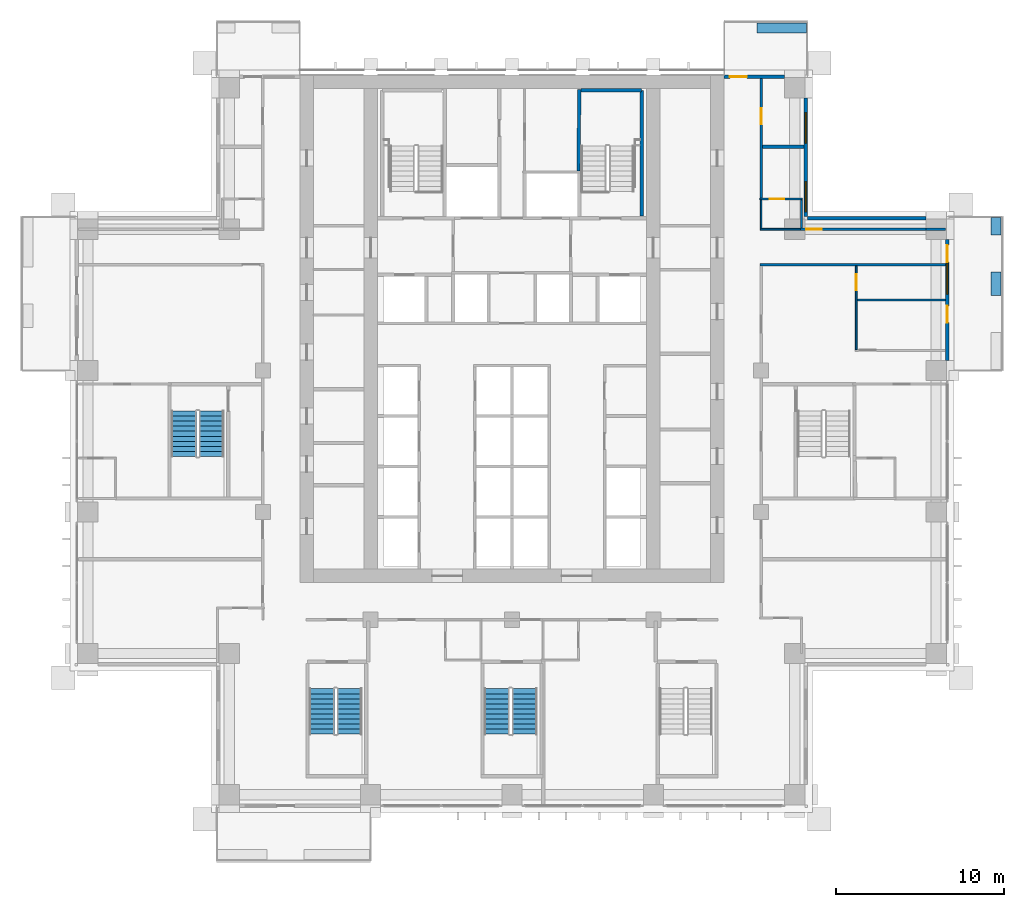
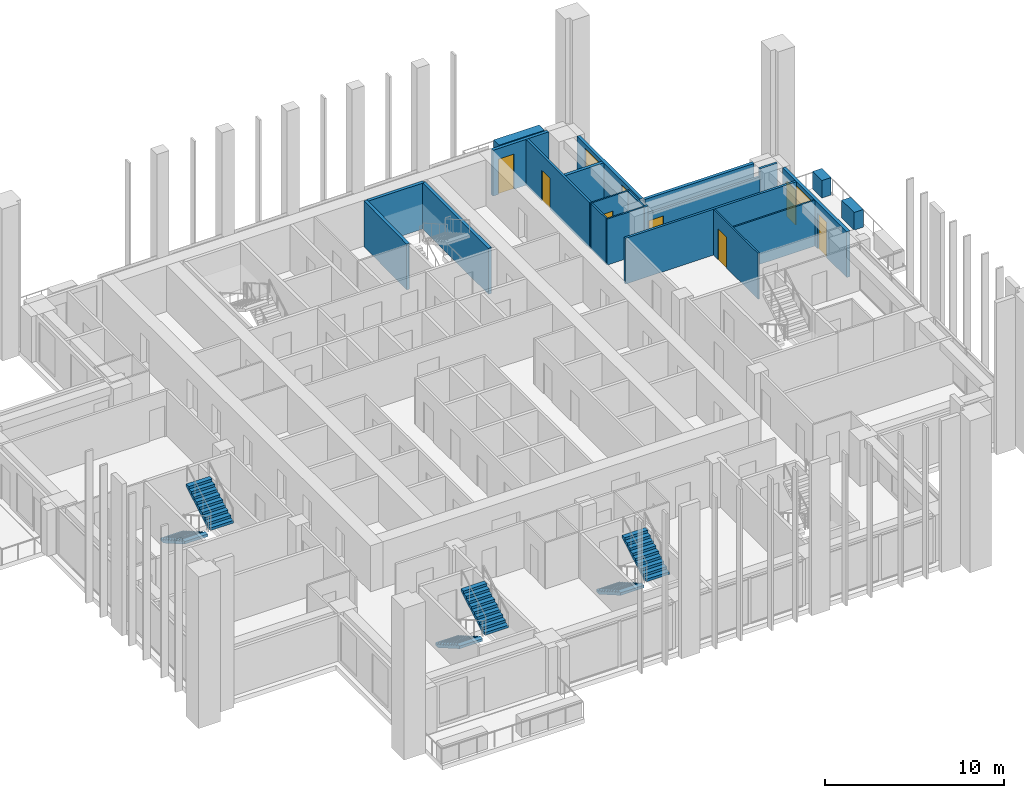
# One storey, part 12 of 18: 22 walls, 7 doors, 6 stair flights, 3 windows, 10 openings, 3 elements without a shape of their own.
"""IFC4 building model written with IfcOpenShell, lengths in metres."""

from ifc_helpers import new_model, si_unit, direction, frame, frame_2d, origin, place, context, subcontext, project, spatial, polyline, rectangle, outline, extrude, material, layer, layer_set, type_object, element, fill, aggregate, save


model = new_model("IFC4")

# Units and contexts
model_context = context("Model", 3, precision=1e-05, world=origin(), true_north=direction((0.0, 1.0)))
body_context = subcontext(model_context, "Body", "Model", "MODEL_VIEW")
ifc_project = project(units=[si_unit("LENGTHUNIT", "METRE"), si_unit("AREAUNIT", "SQUARE_METRE"), si_unit("VOLUMEUNIT", "CUBIC_METRE"), si_unit("PLANEANGLEUNIT", "RADIAN"), si_unit("MASSUNIT", "GRAM", prefix="KILO")], contexts=[model_context])

# Site, building, storey
site_placement = place(None, origin())
site = spatial("IfcSite", under=ifc_project, at=site_placement, CompositionType="ELEMENT")
building_placement = place(site_placement, origin())
building = spatial("IfcBuilding", under=site, at=building_placement, Name="Vermilion Ogive Tower", CompositionType="ELEMENT")
storey_placement = place(building_placement, frame((0.0, 0.0, 80.39990234375)))
storey = spatial("IfcBuildingStorey", under=building, at=storey_placement, Name="L19", CompositionType="ELEMENT", Elevation=80.39990234375)

# Wall
ifc_material_1 = material(Name="Gypsum board partition on steel studs", Category="steel")
ifc_layer_1 = layer(ifc_material_1, 0.10009765625)
ifc_layer_set_1 = layer_set([ifc_layer_1], Name="Partition 100 bath")
wall_type_1 = type_object("IfcWallType", Name="Partition 100 bath", PredefinedType="PARTITIONING", material=ifc_layer_set_1)
wall_1_placement = place(storey_placement, frame((14.75, 12.60009765625, 0.0), z_axis=(0.0, 0.0, 1.0), x_axis=(1.0, 0.0, 0.0)))
element("IfcWall", 1, at=wall_1_placement, inside=storey, type_object=wall_type_1, Name="L19-W-W033", PredefinedType="PARTITIONING", context=body_context, shape_type="SweptSolid", body=[
    extrude(rectangle(XDim=2.5, YDim=0.10009765625, at=frame_2d((1.25, 0.0))), origin(), (0.0, 0.0, 1.0), 3.130126953125),
])

# Wall, opening, door
wall_2_placement = place(storey_placement, frame((14.72509765625, 14.39990234375, 0.0), z_axis=(0.0, 0.0, 1.0), x_axis=(1.0, 0.0, 0.0)))
wall_2 = element("IfcWall", 2, at=wall_2_placement, inside=storey, type_object=wall_type_1, Name="L19-W-W036", PredefinedType="PARTITIONING", context=body_context, shape_type="SweptSolid", body=[
    extrude(rectangle(XDim=2.52490234375, YDim=0.10009765625, at=frame_2d((1.262451171875, 0.0))), origin(), (0.0, 0.0, 1.0), 3.130126953125),
])
opening_1_placement = place(wall_2_placement, frame((0.599853515625, 0.0, 0.0)))
opening_1 = element("IfcOpeningElement", 3, at=opening_1_placement, cuts=wall_2, Name="Opening D2G1021", PredefinedType="OPENING", context=body_context, shape_type="SweptSolid", body=[
    extrude(rectangle(XDim=0.85009765625, YDim=2.10009765625, at=frame_2d((0.425048828125, 1.050048828125))), frame((0.0, 0.06005859375, 0.0), z_axis=(0.0, -1.0, 0.0), x_axis=(1.0, 0.0, 0.0)), (0.0, 0.0, 1.0), 0.1201171875),
])
ifc_material_2 = material(Name="Timber door leaf", Category="wood")
door_type_1 = type_object("IfcDoorType", Name="Bath door 850 x 2100 FD30", OperationType="SINGLE_SWING_LEFT", PredefinedType="DOOR", material=ifc_material_2)
door_1_placement = place(opening_1_placement, origin())
door_1 = element("IfcDoor", 4, at=door_1_placement, inside=storey, type_object=door_type_1, Name="L19-D-D021", OperationType="SINGLE_SWING_RIGHT", OverallHeight=2.10009765625, OverallWidth=0.85009765625, PredefinedType="DOOR", context=body_context, shape_type="SweptSolid", body=[
    extrude(rectangle(XDim=0.85009765625, YDim=2.10009765625, at=frame_2d((0.425048828125, 1.050048828125))), frame((0.0, 0.02490234375, 0.0), z_axis=(0.0, -1.0, 0.0), x_axis=(1.0, 0.0, 0.0)), (0.0, 0.0, 1.0), 0.050048828125),
])
fill(opening_1, door_1)

# Walls
wall_3_placement = place(storey_placement, frame((14.800048828125, 12.64990234375, 0.0), z_axis=(0.0, 0.0, 1.0), x_axis=(0.0, 1.0, 0.0)))
element("IfcWall", 5, at=wall_3_placement, inside=storey, type_object=wall_type_1, Name="L19-W-W058", PredefinedType="PARTITIONING", context=body_context, shape_type="SweptSolid", body=[
    extrude(rectangle(XDim=1.7001953125, YDim=0.10009765625, at=frame_2d((0.85009765625, 0.0))), origin(), (0.0, 0.0, 1.0), 3.130126953125),
])
wall_4_placement = place(storey_placement, frame((17.199951171875, 12.675048828125, 0.0), z_axis=(0.0, 0.0, 1.0), x_axis=(0.0, 1.0, 0.0)))
element("IfcWall", 6, at=wall_4_placement, inside=storey, type_object=wall_type_1, Name="L19-W-W062", PredefinedType="PARTITIONING", context=body_context, shape_type="SweptSolid", body=[
    extrude(rectangle(XDim=1.675048828125, YDim=0.10009765625, at=frame_2d((0.83740234375, 0.0))), origin(), (0.0, 0.0, 1.0), 3.130126953125),
])
ifc_material_3 = material(Name="Gypsum board partition on steel studs", Category="steel")
ifc_layer_2 = layer(ifc_material_3, 0.10009765625)
ifc_layer_set_2 = layer_set([ifc_layer_2], Name="Partition 100 inner")
wall_type_2 = type_object("IfcWallType", Name="Partition 100 inner", PredefinedType="PARTITIONING", material=ifc_layer_set_2)
wall_5_placement = place(storey_placement, frame((20.5, 8.39990234375, 0.0), z_axis=(0.0, 0.0, 1.0), x_axis=(1.0, 0.0, 0.0)))
element("IfcWall", 7, at=wall_5_placement, inside=storey, type_object=wall_type_2, Name="L19-W-W028", PredefinedType="PARTITIONING", context=body_context, shape_type="SweptSolid", body=[
    extrude(rectangle(XDim=5.25, YDim=0.10009765625, at=frame_2d((2.625, 0.0))), origin(), (0.0, 0.0, 1.0), 3.130126953125),
])

# Wall, opening, door
wall_6_placement = place(storey_placement, frame((20.449951171875, 5.449951171875, 0.0), z_axis=(0.0, 0.0, 1.0), x_axis=(0.0, 1.0, 0.0)))
wall_6 = element("IfcWall", 8, at=wall_6_placement, inside=storey, type_object=wall_type_2, Name="L19-W-W065", PredefinedType="PARTITIONING", context=body_context, shape_type="SweptSolid", body=[
    extrude(rectangle(XDim=4.97509765625, YDim=0.10009765625, at=frame_2d((2.487548828125, 0.0))), origin(), (0.0, 0.0, 1.0), 3.130126953125),
])
opening_2_placement = place(wall_6_placement, frame((3.525146484375, 0.0, 0.0)))
opening_2 = element("IfcOpeningElement", 9, at=opening_2_placement, cuts=wall_6, Name="Opening D2G1016", PredefinedType="OPENING", context=body_context, shape_type="SweptSolid", body=[
    extrude(rectangle(XDim=0.949951171875, YDim=2.10009765625, at=frame_2d((0.47509765625, 1.050048828125))), frame((0.0, 0.06005859375, 0.0), z_axis=(0.0, -1.0, 0.0), x_axis=(1.0, 0.0, 0.0)), (0.0, 0.0, 1.0), 0.1201171875),
])
ifc_material_4 = material(Name="Timber door leaf", Category="wood")
door_type_2 = type_object("IfcDoorType", Name="Inner door 950 x 2100 FD30", OperationType="SINGLE_SWING_LEFT", PredefinedType="DOOR", material=ifc_material_4)
door_2_placement = place(opening_2_placement, origin())
door_2 = element("IfcDoor", 10, at=door_2_placement, inside=storey, type_object=door_type_2, Name="L19-D-D016", OperationType="SINGLE_SWING_RIGHT", OverallHeight=2.10009765625, OverallWidth=0.949951171875, PredefinedType="DOOR", context=body_context, shape_type="SweptSolid", body=[
    extrude(rectangle(XDim=0.949951171875, YDim=2.10009765625, at=frame_2d((0.47509765625, 1.050048828125))), frame((0.0, 0.02490234375, 0.0), z_axis=(0.0, -1.0, 0.0), x_axis=(1.0, 0.0, 0.0)), (0.0, 0.0, 1.0), 0.050048828125),
])
fill(opening_2, door_2)

# Walls
ifc_material_5 = material(Name="Gypsum board partition on steel studs", Category="steel")
ifc_layer_3 = layer(ifc_material_5, 0.14990234375)
ifc_layer_set_3 = layer_set([ifc_layer_3], Name="Partition 150 corridor")
wall_type_3 = type_object("IfcWallType", Name="Partition 150 corridor", PredefinedType="PARTITIONING", material=ifc_layer_set_3)
wall_7_placement = place(storey_placement, frame((14.72509765625, 10.5, 0.0), z_axis=(0.0, 0.0, 1.0), x_axis=(1.0, 0.0, 0.0)))
element("IfcWall", 11, at=wall_7_placement, inside=storey, type_object=wall_type_3, Name="L19-W-W030", PredefinedType="PARTITIONING", context=body_context, shape_type="SweptSolid", body=[
    extrude(rectangle(XDim=11.02490234375, YDim=0.14990234375, at=frame_2d((5.512451171875, 0.0))), origin(), (0.0, 0.0, 1.0), 3.130126953125),
])
wall_8_placement = place(storey_placement, frame((17.14990234375, 12.60009765625, 0.0), z_axis=(0.0, 0.0, 1.0), x_axis=(1.0, 0.0, 0.0)))
element("IfcWall", 12, at=wall_8_placement, inside=storey, type_object=wall_type_3, Name="L19-W-W034", PredefinedType="PARTITIONING", context=body_context, shape_type="SweptSolid", body=[
    extrude(rectangle(XDim=0.25, YDim=0.14990234375, at=frame_2d((0.125, 0.0))), origin(), (0.0, 0.0, 1.0), 3.130126953125),
])

# Wall, opening, door
wall_9_placement = place(storey_placement, frame((14.800048828125, 14.449951171875, 0.0), z_axis=(0.0, 0.0, 1.0), x_axis=(0.0, 1.0, 0.0)))
wall_9 = element("IfcWall", 13, at=wall_9_placement, inside=storey, type_object=wall_type_3, Name="L19-W-W059", PredefinedType="PARTITIONING", context=body_context, shape_type="SweptSolid", body=[
    extrude(rectangle(XDim=7.10009765625, YDim=0.14990234375, at=frame_2d((3.550048828125, 0.0))), origin(), (0.0, 0.0, 1.0), 3.130126953125),
])
opening_3_placement = place(wall_9_placement, frame((4.400146484375, 0.0, 0.0)))
opening_3 = element("IfcOpeningElement", 14, at=opening_3_placement, cuts=wall_9, Name="Opening D2G1022", PredefinedType="OPENING", context=body_context, shape_type="SweptSolid", body=[
    extrude(rectangle(XDim=0.949951171875, YDim=2.10009765625, at=frame_2d((0.47509765625, 1.050048828125))), frame((0.0, 0.0849609375, 0.0), z_axis=(0.0, -1.0, 0.0), x_axis=(1.0, 0.0, 0.0)), (0.0, 0.0, 1.0), 0.169921875),
])
ifc_material_6 = material(Name="Timber door leaf", Category="wood")
door_type_3 = type_object("IfcDoorType", Name="Unit door 950 x 2100 FD30S", OperationType="SINGLE_SWING_LEFT", PredefinedType="DOOR", material=ifc_material_6)
door_3_placement = place(opening_3_placement, origin())
door_3 = element("IfcDoor", 15, at=door_3_placement, inside=storey, type_object=door_type_3, Name="L19-D-D022", OperationType="SINGLE_SWING_RIGHT", OverallHeight=2.10009765625, OverallWidth=0.949951171875, PredefinedType="DOOR", context=body_context, shape_type="SweptSolid", body=[
    extrude(rectangle(XDim=0.949951171875, YDim=2.10009765625, at=frame_2d((0.47509765625, 1.050048828125))), frame((0.0, 0.02490234375, 0.0), z_axis=(0.0, -1.0, 0.0), x_axis=(1.0, 0.0, 0.0)), (0.0, 0.0, 1.0), 0.050048828125),
])
fill(opening_3, door_3)

wall_10_placement = place(storey_placement, frame((17.39990234375, 12.60009765625, 0.0), z_axis=(0.0, 0.0, 1.0), x_axis=(1.0, 0.0, 0.0)))
wall_10 = element("IfcWall", 16, at=wall_10_placement, inside=storey, type_object=wall_type_3, Name="L19-W-W034-h1", PredefinedType="PARTITIONING", context=body_context, shape_type="SweptSolid", body=[
    extrude(rectangle(XDim=7.2001953125, YDim=0.14990234375, at=frame_2d((3.60009765625, 0.0))), origin(), (0.0, 0.0, 1.0), 2.580078125),
])
opening_4_placement = place(wall_10_placement, frame((0.050048828125, 0.0, 0.0)))
opening_4 = element("IfcOpeningElement", 17, at=opening_4_placement, cuts=wall_10, Name="Opening D2G1020", PredefinedType="OPENING", context=body_context, shape_type="SweptSolid", body=[
    extrude(rectangle(XDim=0.949951171875, YDim=2.10009765625, at=frame_2d((0.47509765625, 1.050048828125))), frame((0.0, 0.0849609375, 0.0), z_axis=(0.0, -1.0, 0.0), x_axis=(1.0, 0.0, 0.0)), (0.0, 0.0, 1.0), 0.169921875),
])
door_4_placement = place(opening_4_placement, origin())
door_4 = element("IfcDoor", 18, at=door_4_placement, inside=storey, type_object=door_type_3, Name="L19-D-D020", OperationType="SINGLE_SWING_LEFT", OverallHeight=2.10009765625, OverallWidth=0.949951171875, PredefinedType="DOOR", context=body_context, shape_type="SweptSolid", body=[
    extrude(rectangle(XDim=0.949951171875, YDim=2.10009765625, at=frame_2d((0.47509765625, 1.050048828125))), frame((0.0, 0.02490234375, 0.0), z_axis=(0.0, -1.0, 0.0), x_axis=(1.0, 0.0, 0.0)), (0.0, 0.0, 1.0), 0.050048828125),
])
fill(opening_4, door_4)

# Walls
wall_11_placement = place(storey_placement, frame((24.60009765625, 12.60009765625, 0.0), z_axis=(0.0, 0.0, 1.0), x_axis=(1.0, 0.0, 0.0)))
element("IfcWall", 19, at=wall_11_placement, inside=storey, type_object=wall_type_3, Name="L19-W-W034-h2", PredefinedType="PARTITIONING", context=body_context, shape_type="SweptSolid", body=[
    extrude(rectangle(XDim=1.14990234375, YDim=0.14990234375, at=frame_2d((0.574951171875, 0.0))), origin(), (0.0, 0.0, 1.0), 3.130126953125),
])
ifc_material_7 = material(Name="Gypsum board partition on steel studs", Category="steel")
ifc_layer_4 = layer(ifc_material_7, 0.199951171875)
ifc_layer_set_4 = layer_set([ifc_layer_4], Name="Partition 200 party")
wall_type_4 = type_object("IfcWallType", Name="Partition 200 party", PredefinedType="PARTITIONING", material=ifc_layer_set_4)
wall_12_placement = place(storey_placement, frame((14.875, 17.5, 0.0), z_axis=(0.0, 0.0, 1.0), x_axis=(1.0, 0.0, 0.0)))
element("IfcWall", 20, at=wall_12_placement, inside=storey, type_object=wall_type_4, Name="L19-W-W038", PredefinedType="PARTITIONING", context=body_context, shape_type="SweptSolid", body=[
    extrude(rectangle(XDim=2.47509765625, YDim=0.199951171875, at=frame_2d((1.237548828125, 0.0))), origin(), (0.0, 0.0, 1.0), 3.130126953125),
])
ifc_material_8 = material(Name="Concrete B60", Category="concrete")
ifc_layer_5 = layer(ifc_material_8, 0.199951171875)
ifc_layer_set_5 = layer_set([ifc_layer_5], Name="Stair shaft wall 200 Concrete B60")
wall_type_5 = type_object("IfcWallType", Name="Stair shaft wall 200 Concrete B60", PredefinedType="SOLIDWALL", material=ifc_layer_set_5)
wall_13_placement = place(storey_placement, frame((3.949951171875, 16.050048828125, 0.0), z_axis=(0.0, 0.0, 1.0), x_axis=(0.01032118628, 0.999946735138, 0.0)))
element("IfcWall", 21, at=wall_13_placement, inside=storey, type_object=wall_type_5, Name="L19-CK-W-W038", PredefinedType="SOLIDWALL", context=body_context, shape_type="SweptSolid", body=[
    extrude(rectangle(XDim=4.84912109375, YDim=0.199951171875, at=frame_2d((2.424560546875, 0.0))), origin(), (0.0, 0.0, 1.0), 3.130126953125),
])
wall_14_placement = place(storey_placement, frame((7.699951171875, 13.39990234375, 0.0), z_axis=(0.0, 0.0, 1.0), x_axis=(0.0, 1.0, 0.0)))
element("IfcWall", 22, at=wall_14_placement, inside=storey, type_object=wall_type_5, Name="L19-SW-R026-E1", PredefinedType="SOLIDWALL", context=body_context, shape_type="SweptSolid", body=[
    extrude(rectangle(XDim=7.4501953125, YDim=0.199951171875, at=frame_2d((3.72509765625, 0.0))), origin(), (0.0, 0.0, 1.0), 3.130126953125),
])
wall_15_placement = place(storey_placement, frame((4.10009765625, 20.85009765625, 0.0), z_axis=(0.0, 0.0, 1.0), x_axis=(1.0, 0.0, 0.0)))
element("IfcWall", 23, at=wall_15_placement, inside=storey, type_object=wall_type_5, Name="L19-SW-R026-N1", PredefinedType="SOLIDWALL", context=body_context, shape_type="SweptSolid", body=[
    extrude(rectangle(XDim=3.599853515625, YDim=0.199951171875, at=frame_2d((1.7998046875, 0.0))), origin(), (0.0, 0.0, 1.0), 3.130126953125),
])
ifc_material_9 = material(Name="Concrete B40", Category="concrete")
ifc_layer_6 = layer(ifc_material_9, 0.60009765625)
ifc_layer_set_6 = layer_set([ifc_layer_6], Name="Structural planter")
wall_type_6 = type_object("IfcWallType", Name="Structural planter", PredefinedType="USERDEFINED", material=ifc_layer_set_6)
wall_16_placement = place(storey_placement, frame((28.75, 8.64990234375, -0.039794921875), z_axis=(0.0, 0.0, 1.0), x_axis=(0.0, 1.0, 0.0)))
element("IfcWall", 24, at=wall_16_placement, inside=storey, type_object=wall_type_6, Name="Planter E03A2", ObjectType="PLANTER", PredefinedType="USERDEFINED", context=body_context, shape_type="SweptSolid", body=[
    extrude(rectangle(XDim=1.400146484375, YDim=0.60009765625, at=frame_2d((0.7001953125, 0.0))), origin(), (0.0, 0.0, 1.0), 1.199951171875),
])
wall_17_placement = place(storey_placement, frame((28.75, 12.25, -0.039794921875), z_axis=(0.0, 0.0, 1.0), x_axis=(0.0, 1.0, 0.0)))
element("IfcWall", 25, at=wall_17_placement, inside=storey, type_object=wall_type_6, Name="Planter E03A3", ObjectType="PLANTER", PredefinedType="USERDEFINED", context=body_context, shape_type="SweptSolid", body=[
    extrude(rectangle(XDim=1.0400390625, YDim=0.60009765625, at=frame_2d((0.52001953125, 0.0))), origin(), (0.0, 0.0, 1.0), 1.199951171875),
])
wall_18_placement = place(storey_placement, frame((17.489990234375, 24.550048828125, -0.039794921875), z_axis=(0.0, 0.0, 1.0), x_axis=(-1.0, 0.0, 0.0)))
element("IfcWall", 26, at=wall_18_placement, inside=storey, type_object=wall_type_6, Name="Planter N101A1", ObjectType="PLANTER", PredefinedType="USERDEFINED", context=body_context, shape_type="SweptSolid", body=[
    extrude(rectangle(XDim=2.93994140625, YDim=0.60009765625, at=frame_2d((1.469970703125, 0.0))), origin(), (0.0, 0.0, 1.0), 1.199951171875),
])

# Wall, openings, doors, window
ifc_material_10 = material(Name="Aluminium window wall framing", Category="aluminium")
ifc_layer_7 = layer(ifc_material_10, 0.199951171875)
ifc_layer_set_7 = layer_set([ifc_layer_7], Name="Window wall")
wall_type_7 = type_object("IfcWallType", Name="Window wall", PredefinedType="STANDARD", material=ifc_layer_set_7)
wall_19_placement = place(storey_placement, frame((25.85009765625, 4.800048828125, 0.0), z_axis=(0.0, 0.0, 1.0), x_axis=(0.0, 1.0, 0.0)))
wall_19 = element("IfcWall", 27, at=wall_19_placement, inside=storey, type_object=wall_type_7, Name="Window wall E3", PredefinedType="STANDARD", context=body_context, shape_type="SweptSolid", body=[
    extrude(rectangle(XDim=7.199951171875, YDim=0.199951171875, at=frame_2d((3.60009765625, 0.0))), origin(), (0.0, 0.0, 1.0), 3.130126953125),
])
opening_5_placement = place(wall_19_placement, frame((2.25, 0.0, 0.0)))
opening_5 = element("IfcOpeningElement", 28, at=opening_5_placement, cuts=wall_19, Name="Opening D1-E01", PredefinedType="OPENING", context=body_context, shape_type="SweptSolid", body=[
    extrude(rectangle(XDim=1.0, YDim=2.39990234375, at=frame_2d((0.5, 1.199951171875))), frame((0.0, 0.10986328125, 0.0), z_axis=(0.0, -1.0, 0.0), x_axis=(1.0, 0.0, 0.0)), (0.0, 0.0, 1.0), 0.219970703125),
])
opening_6_placement = place(wall_19_placement, frame((3.949951171875, 0.0, 0.199951171875)))
opening_6 = element("IfcOpeningElement", 29, at=opening_6_placement, cuts=wall_19, Name="Opening W1-E02", PredefinedType="OPENING", context=body_context, shape_type="SweptSolid", body=[
    extrude(rectangle(XDim=1.800048828125, YDim=2.64990234375, at=frame_2d((0.89990234375, 1.324951171875))), frame((0.0, 0.10986328125, 0.0), z_axis=(0.0, -1.0, 0.0), x_axis=(1.0, 0.0, 0.0)), (0.0, 0.0, 1.0), 0.219970703125),
])
opening_7_placement = place(wall_19_placement, frame((5.85009765625, 0.0, 0.0)))
opening_7 = element("IfcOpeningElement", 30, at=opening_7_placement, cuts=wall_19, Name="Opening D1-E02", PredefinedType="OPENING", context=body_context, shape_type="SweptSolid", body=[
    extrude(rectangle(XDim=1.0, YDim=2.39990234375, at=frame_2d((0.5, 1.199951171875))), frame((0.0, 0.10986328125, 0.0), z_axis=(0.0, -1.0, 0.0), x_axis=(1.0, 0.0, 0.0)), (0.0, 0.0, 1.0), 0.219970703125),
])
ifc_material_11 = material(Name="Aluminium framed glazed door", Category="aluminium")
door_type_4 = type_object("IfcDoorType", Name="Balcony door D1", OperationType="SINGLE_SWING_LEFT", PredefinedType="DOOR", material=ifc_material_11)
door_5_placement = place(opening_5_placement, origin())
door_5 = element("IfcDoor", 31, at=door_5_placement, inside=storey, type_object=door_type_4, Name="Balcony door E01", OperationType="SINGLE_SWING_LEFT", OverallHeight=2.39990234375, OverallWidth=1.0, PredefinedType="DOOR", context=body_context, shape_type="SweptSolid", body=[
    extrude(rectangle(XDim=1.0, YDim=2.39990234375, at=frame_2d((0.5, 1.199951171875))), frame((0.0, 0.02490234375, 0.0), z_axis=(0.0, -1.0, 0.0), x_axis=(1.0, 0.0, 0.0)), (0.0, 0.0, 1.0), 0.050048828125),
])
fill(opening_5, door_5)
door_6_placement = place(opening_7_placement, origin())
door_6 = element("IfcDoor", 32, at=door_6_placement, inside=storey, type_object=door_type_4, Name="Balcony door E02", OperationType="SINGLE_SWING_LEFT", OverallHeight=2.39990234375, OverallWidth=1.0, PredefinedType="DOOR", context=body_context, shape_type="SweptSolid", body=[
    extrude(rectangle(XDim=1.0, YDim=2.39990234375, at=frame_2d((0.5, 1.199951171875))), frame((0.0, 0.02490234375, 0.0), z_axis=(0.0, -1.0, 0.0), x_axis=(1.0, 0.0, 0.0)), (0.0, 0.0, 1.0), 0.050048828125),
])
fill(opening_7, door_6)
ifc_material_12 = material(Name="Aluminium framed double glazing", Category="aluminium")
window_type = type_object("IfcWindowType", Name="Guest window W1", PartitioningType="SINGLE_PANEL", PredefinedType="WINDOW", material=ifc_material_12)
window_1_placement = place(opening_6_placement, origin())
window_1 = element("IfcWindow", 33, at=window_1_placement, inside=storey, type_object=window_type, Name="Window E02", OverallHeight=2.64990234375, OverallWidth=1.800048828125, PartitioningType="SINGLE_PANEL", PredefinedType="WINDOW", context=body_context, shape_type="SweptSolid", body=[
    extrude(rectangle(XDim=1.800048828125, YDim=2.64990234375, at=frame_2d((0.89990234375, 1.324951171875))), frame((0.0, 0.030029296875, 0.0), z_axis=(0.0, -1.0, 0.0), x_axis=(1.0, 0.0, 0.0)), (0.0, 0.0, 1.0), 0.06005859375),
])
fill(opening_6, window_1)

# Wall
wall_20_placement = place(storey_placement, frame((24.60009765625, 13.25, 0.0), z_axis=(0.0, 0.0, 1.0), x_axis=(-1.0, 0.0, 0.0)))
element("IfcWall", 34, at=wall_20_placement, inside=storey, type_object=wall_type_7, Name="Window wall X31", PredefinedType="STANDARD", context=body_context, shape_type="SweptSolid", body=[
    extrude(rectangle(XDim=7.050048828125, YDim=0.199951171875, at=frame_2d((3.52490234375, 0.0))), origin(), (0.0, 0.0, 1.0), 3.130126953125),
])

# Wall, openings, windows
wall_21_placement = place(storey_placement, frame((17.449951171875, 13.35009765625, 0.0), z_axis=(0.0, 0.0, 1.0), x_axis=(0.0, 1.0, 0.0)))
wall_21 = element("IfcWall", 35, at=wall_21_placement, inside=storey, type_object=wall_type_7, Name="Window wall X41", PredefinedType="STANDARD", context=body_context, shape_type="SweptSolid", body=[
    extrude(rectangle(XDim=7.0498046875, YDim=0.199951171875, at=frame_2d((3.52490234375, 0.0))), origin(), (0.0, 0.0, 1.0), 3.130126953125),
])
opening_8_placement = place(wall_21_placement, frame((0.27490234375, 0.0, 0.199951171875)))
opening_8 = element("IfcOpeningElement", 36, at=opening_8_placement, cuts=wall_21, Name="Opening W1-X403", PredefinedType="OPENING", context=body_context, shape_type="SweptSolid", body=[
    extrude(rectangle(XDim=1.800048828125, YDim=2.64990234375, at=frame_2d((0.89990234375, 1.324951171875))), frame((0.0, 0.10986328125, 0.0), z_axis=(0.0, -1.0, 0.0), x_axis=(1.0, 0.0, 0.0)), (0.0, 0.0, 1.0), 0.219970703125),
])
opening_9_placement = place(wall_21_placement, frame((4.3701171875, 0.0, 0.199951171875)))
opening_9 = element("IfcOpeningElement", 37, at=opening_9_placement, cuts=wall_21, Name="Opening W1-X404", PredefinedType="OPENING", context=body_context, shape_type="SweptSolid", body=[
    extrude(rectangle(XDim=1.800048828125, YDim=2.64990234375, at=frame_2d((0.89990234375, 1.324951171875))), frame((0.0, 0.10986328125, 0.0), z_axis=(0.0, -1.0, 0.0), x_axis=(1.0, 0.0, 0.0)), (0.0, 0.0, 1.0), 0.219970703125),
])
window_2_placement = place(opening_8_placement, origin())
window_2 = element("IfcWindow", 38, at=window_2_placement, inside=storey, type_object=window_type, Name="Window X403", OverallHeight=2.64990234375, OverallWidth=1.800048828125, PartitioningType="SINGLE_PANEL", PredefinedType="WINDOW", context=body_context, shape_type="SweptSolid", body=[
    extrude(rectangle(XDim=1.800048828125, YDim=2.64990234375, at=frame_2d((0.89990234375, 1.324951171875))), frame((0.0, 0.030029296875, 0.0), z_axis=(0.0, -1.0, 0.0), x_axis=(1.0, 0.0, 0.0)), (0.0, 0.0, 1.0), 0.06005859375),
])
fill(opening_8, window_2)
window_3_placement = place(opening_9_placement, origin())
window_3 = element("IfcWindow", 39, at=window_3_placement, inside=storey, type_object=window_type, Name="Window X404", OverallHeight=2.64990234375, OverallWidth=1.800048828125, PartitioningType="SINGLE_PANEL", PredefinedType="WINDOW", context=body_context, shape_type="SweptSolid", body=[
    extrude(rectangle(XDim=1.800048828125, YDim=2.64990234375, at=frame_2d((0.89990234375, 1.324951171875))), frame((0.0, 0.030029296875, 0.0), z_axis=(0.0, -1.0, 0.0), x_axis=(1.0, 0.0, 0.0)), (0.0, 0.0, 1.0), 0.06005859375),
])
fill(opening_9, window_3)

# Wall, opening, door
wall_22_placement = place(storey_placement, frame((16.199951171875, 21.64990234375, 0.0), z_axis=(0.0, 0.0, 1.0), x_axis=(-1.0, 0.0, 0.0)))
wall_22 = element("IfcWall", 40, at=wall_22_placement, inside=storey, type_object=wall_type_7, Name="Window wall N11", PredefinedType="STANDARD", context=body_context, shape_type="SweptSolid", body=[
    extrude(rectangle(XDim=3.599853515625, YDim=0.199951171875, at=frame_2d((1.7998046875, 0.0))), origin(), (0.0, 0.0, 1.0), 3.130126953125),
])
opening_10_placement = place(wall_22_placement, frame((2.25, 0.0, 0.0)))
opening_10 = element("IfcOpeningElement", 41, at=opening_10_placement, cuts=wall_22, Name="Opening D1-N103", PredefinedType="OPENING", context=body_context, shape_type="SweptSolid", body=[
    extrude(rectangle(XDim=1.0, YDim=2.39990234375, at=frame_2d((0.5, 1.199951171875))), frame((0.0, 0.10986328125, 0.0), z_axis=(0.0, -1.0, 0.0), x_axis=(1.0, 0.0, 0.0)), (0.0, 0.0, 1.0), 0.219970703125),
])
door_7_placement = place(opening_10_placement, origin())
door_7 = element("IfcDoor", 42, at=door_7_placement, inside=storey, type_object=door_type_4, Name="Balcony door N103", OperationType="SINGLE_SWING_LEFT", OverallHeight=2.39990234375, OverallWidth=1.0, PredefinedType="DOOR", context=body_context, shape_type="SweptSolid", body=[
    extrude(rectangle(XDim=1.0, YDim=2.39990234375, at=frame_2d((0.5, 1.199951171875))), frame((0.0, 0.02490234375, 0.0), z_axis=(0.0, -1.0, 0.0), x_axis=(1.0, 0.0, 0.0)), (0.0, 0.0, 1.0), 0.050048828125),
])
fill(opening_10, door_7)

# Stair, stair flights
ifc_material_13 = material(Name="Concrete B40", Category="concrete")
stair_type = type_object("IfcStairType", Name="Exit stair 1500", PredefinedType="HALF_TURN_STAIR", material=ifc_material_13)
stair_1_placement = place(storey_placement, origin())
stair_1 = element("IfcStair", 43, at=stair_1_placement, inside=storey, type_object=stair_type, Name="L19 Exit Stair ST3", PredefinedType="HALF_TURN_STAIR")
ifc_material_14 = material(Name="Concrete B40", Category="concrete")
stair_flight_type = type_object("IfcStairFlightType", Name="Stair flight 1500", PredefinedType="STRAIGHT", material=ifc_material_14)
stair_flight_1_placement = place(storey_placement, frame((-11.300048828125, -14.699951171875, 0.0), z_axis=(0.0, 0.0, 1.0), x_axis=(0.0, -1.0, 0.0)))
stair_flight_1 = element("IfcStairFlight", 44, at=stair_flight_1_placement, type_object=stair_flight_type, Name="ST3 flight 1", NumberOfRisers=10, NumberOfTreads=9, PredefinedType="STRAIGHT", RiserHeight=0.1725, TreadLength=0.3, context=body_context, shape_type="SweptSolid", body=[
    extrude(outline(polyline([(0.0, 0.0), (0.0, 0.172607421875), (0.300048828125, 0.172607421875), (0.300048828125, 0.344970703125), (0.60009765625, 0.344970703125), (0.60009765625, 0.517578125), (0.89990234375, 0.517578125), (0.89990234375, 0.68994140625), (1.199951171875, 0.68994140625), (1.199951171875, 0.862548828125), (1.5, 0.862548828125), (1.5, 1.034912109375), (1.800048828125, 1.034912109375), (1.800048828125, 1.20751953125), (2.10009765625, 1.20751953125), (2.10009765625, 1.3798828125), (2.39990234375, 1.3798828125), (2.39990234375, 1.552490234375), (2.699951171875, 1.552490234375), (2.699951171875, 1.72509765625), (2.699951171875, 1.379638671875), (0.30078125, 0.0), (0.0, 0.0)])), frame((0.0, 0.75, 0.0), z_axis=(0.0, -1.0, 0.0), x_axis=(1.0, 0.0, 0.0)), (0.0, 0.0, 1.0), 1.5),
])
stair_flight_2_placement = place(storey_placement, frame((-9.64990234375, -17.39990234375, 1.72509765625), z_axis=(0.0, 0.0, 1.0), x_axis=(0.0, 1.0, 0.0)))
stair_flight_2 = element("IfcStairFlight", 45, at=stair_flight_2_placement, type_object=stair_flight_type, Name="ST3 flight 2", NumberOfRisers=10, NumberOfTreads=9, PredefinedType="STRAIGHT", RiserHeight=0.1725, TreadLength=0.3, context=body_context, shape_type="SweptSolid", body=[
    extrude(outline(polyline([(0.0, 0.0), (0.0, 0.172607421875), (0.300048828125, 0.172607421875), (0.300048828125, 0.344970703125), (0.60009765625, 0.344970703125), (0.60009765625, 0.517578125), (0.89990234375, 0.517578125), (0.89990234375, 0.68994140625), (1.199951171875, 0.68994140625), (1.199951171875, 0.862548828125), (1.5, 0.862548828125), (1.5, 1.034912109375), (1.800048828125, 1.034912109375), (1.800048828125, 1.20751953125), (2.10009765625, 1.20751953125), (2.10009765625, 1.3798828125), (2.39990234375, 1.3798828125), (2.39990234375, 1.552490234375), (2.699951171875, 1.552490234375), (2.699951171875, 1.72509765625), (2.699951171875, 1.379638671875), (0.30078125, 0.0), (0.0, 0.0)])), frame((0.0, 0.75, 0.0), z_axis=(0.0, -1.0, 0.0), x_axis=(1.0, 0.0, 0.0)), (0.0, 0.0, 1.0), 1.5),
])
aggregate(stair_1, [stair_flight_1, stair_flight_2])

stair_2_placement = place(storey_placement, origin())
stair_2 = element("IfcStair", 46, at=stair_2_placement, inside=storey, type_object=stair_type, Name="L19 Exit Stair ST4", PredefinedType="HALF_TURN_STAIR")
stair_flight_3_placement = place(storey_placement, frame((-0.89990234375, -14.699951171875, 0.0), z_axis=(0.0, 0.0, 1.0), x_axis=(0.0, -1.0, 0.0)))
stair_flight_3 = element("IfcStairFlight", 47, at=stair_flight_3_placement, type_object=stair_flight_type, Name="ST4 flight 1", NumberOfRisers=10, NumberOfTreads=9, PredefinedType="STRAIGHT", RiserHeight=0.1725, TreadLength=0.3, context=body_context, shape_type="SweptSolid", body=[
    extrude(outline(polyline([(0.0, 0.0), (0.0, 0.172607421875), (0.300048828125, 0.172607421875), (0.300048828125, 0.344970703125), (0.60009765625, 0.344970703125), (0.60009765625, 0.517578125), (0.89990234375, 0.517578125), (0.89990234375, 0.68994140625), (1.199951171875, 0.68994140625), (1.199951171875, 0.862548828125), (1.5, 0.862548828125), (1.5, 1.034912109375), (1.800048828125, 1.034912109375), (1.800048828125, 1.20751953125), (2.10009765625, 1.20751953125), (2.10009765625, 1.3798828125), (2.39990234375, 1.3798828125), (2.39990234375, 1.552490234375), (2.699951171875, 1.552490234375), (2.699951171875, 1.72509765625), (2.699951171875, 1.379638671875), (0.30078125, 0.0), (0.0, 0.0)])), frame((0.0, 0.75, 0.0), z_axis=(0.0, -1.0, 0.0), x_axis=(1.0, 0.0, 0.0)), (0.0, 0.0, 1.0), 1.5),
])
stair_flight_4_placement = place(storey_placement, frame((0.75, -17.39990234375, 1.72509765625), z_axis=(0.0, 0.0, 1.0), x_axis=(0.0, 1.0, 0.0)))
stair_flight_4 = element("IfcStairFlight", 48, at=stair_flight_4_placement, type_object=stair_flight_type, Name="ST4 flight 2", NumberOfRisers=10, NumberOfTreads=9, PredefinedType="STRAIGHT", RiserHeight=0.1725, TreadLength=0.3, context=body_context, shape_type="SweptSolid", body=[
    extrude(outline(polyline([(0.0, 0.0), (0.0, 0.172607421875), (0.300048828125, 0.172607421875), (0.300048828125, 0.344970703125), (0.60009765625, 0.344970703125), (0.60009765625, 0.517578125), (0.89990234375, 0.517578125), (0.89990234375, 0.68994140625), (1.199951171875, 0.68994140625), (1.199951171875, 0.862548828125), (1.5, 0.862548828125), (1.5, 1.034912109375), (1.800048828125, 1.034912109375), (1.800048828125, 1.20751953125), (2.10009765625, 1.20751953125), (2.10009765625, 1.3798828125), (2.39990234375, 1.3798828125), (2.39990234375, 1.552490234375), (2.699951171875, 1.552490234375), (2.699951171875, 1.72509765625), (2.699951171875, 1.379638671875), (0.30078125, 0.0), (0.0, 0.0)])), frame((0.0, 0.75, 0.0), z_axis=(0.0, -1.0, 0.0), x_axis=(1.0, 0.0, 0.0)), (0.0, 0.0, 1.0), 1.5),
])
aggregate(stair_2, [stair_flight_3, stair_flight_4])

stair_3_placement = place(storey_placement, origin())
stair_3 = element("IfcStair", 49, at=stair_3_placement, inside=storey, type_object=stair_type, Name="L19 Exit Stair ST9", PredefinedType="HALF_TURN_STAIR")
stair_flight_5_placement = place(storey_placement, frame((-19.5, 1.800048828125, 0.0), z_axis=(0.0, 0.0, 1.0), x_axis=(0.0, -1.0, 0.0)))
stair_flight_5 = element("IfcStairFlight", 50, at=stair_flight_5_placement, type_object=stair_flight_type, Name="ST9 flight 1", NumberOfRisers=10, NumberOfTreads=9, PredefinedType="STRAIGHT", RiserHeight=0.1725, TreadLength=0.3, context=body_context, shape_type="SweptSolid", body=[
    extrude(outline(polyline([(0.0, 0.0), (0.0, 0.172607421875), (0.300048828125, 0.172607421875), (0.300048828125, 0.344970703125), (0.60009765625, 0.344970703125), (0.60009765625, 0.517578125), (0.89990234375, 0.517578125), (0.89990234375, 0.68994140625), (1.199951171875, 0.68994140625), (1.199951171875, 0.862548828125), (1.5, 0.862548828125), (1.5, 1.034912109375), (1.800048828125, 1.034912109375), (1.800048828125, 1.20751953125), (2.10009765625, 1.20751953125), (2.10009765625, 1.3798828125), (2.39990234375, 1.3798828125), (2.39990234375, 1.552490234375), (2.699951171875, 1.552490234375), (2.699951171875, 1.72509765625), (2.699951171875, 1.379638671875), (0.30078125, 0.0), (0.0, 0.0)])), frame((0.0, 0.75, 0.0), z_axis=(0.0, -1.0, 0.0), x_axis=(1.0, 0.0, 0.0)), (0.0, 0.0, 1.0), 1.5),
])
stair_flight_6_placement = place(storey_placement, frame((-17.85009765625, -0.89990234375, 1.72509765625), z_axis=(0.0, 0.0, 1.0), x_axis=(0.0, 1.0, 0.0)))
stair_flight_6 = element("IfcStairFlight", 51, at=stair_flight_6_placement, type_object=stair_flight_type, Name="ST9 flight 2", NumberOfRisers=10, NumberOfTreads=9, PredefinedType="STRAIGHT", RiserHeight=0.1725, TreadLength=0.3, context=body_context, shape_type="SweptSolid", body=[
    extrude(outline(polyline([(0.0, 0.0), (0.0, 0.172607421875), (0.300048828125, 0.172607421875), (0.300048828125, 0.344970703125), (0.60009765625, 0.344970703125), (0.60009765625, 0.517578125), (0.89990234375, 0.517578125), (0.89990234375, 0.68994140625), (1.199951171875, 0.68994140625), (1.199951171875, 0.862548828125), (1.5, 0.862548828125), (1.5, 1.034912109375), (1.800048828125, 1.034912109375), (1.800048828125, 1.20751953125), (2.10009765625, 1.20751953125), (2.10009765625, 1.3798828125), (2.39990234375, 1.3798828125), (2.39990234375, 1.552490234375), (2.699951171875, 1.552490234375), (2.699951171875, 1.72509765625), (2.699951171875, 1.379638671875), (0.30078125, 0.0), (0.0, 0.0)])), frame((0.0, 0.75, 0.0), z_axis=(0.0, -1.0, 0.0), x_axis=(1.0, 0.0, 0.0)), (0.0, 0.0, 1.0), 1.5),
])
aggregate(stair_3, [stair_flight_5, stair_flight_6])

save(model, "model.ifc")
